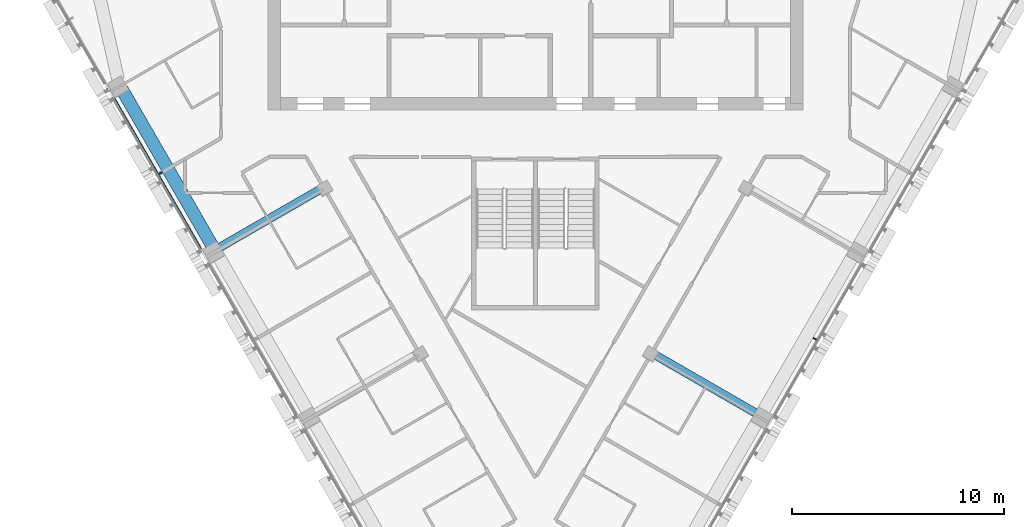
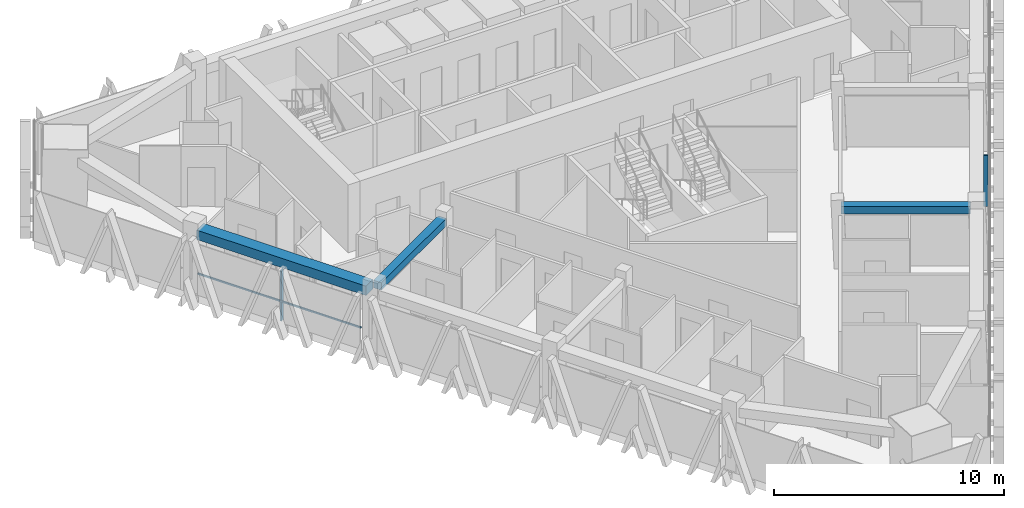
# One storey, part 3 of 15: 3 beams, 3 members, 2 elements without a shape of their own.
"""IFC4 building model written with IfcOpenShell, lengths in metres."""

from ifc_helpers import new_model, si_unit, direction, frame, origin, origin_2d, place, context, subcontext, project, spatial, rectangle, extrude, material, layer, layer_set, material_profile, profile_set, type_object, element, aggregate, save


model = new_model("IFC4")

# Units and contexts
model_context = context("Model", 3, precision=1e-05, world=origin(), true_north=direction((0.0, 1.0)))
body_context = subcontext(model_context, "Body", "Model", "MODEL_VIEW")
ifc_project = project(units=[si_unit("LENGTHUNIT", "METRE"), si_unit("AREAUNIT", "SQUARE_METRE"), si_unit("VOLUMEUNIT", "CUBIC_METRE"), si_unit("PLANEANGLEUNIT", "RADIAN"), si_unit("MASSUNIT", "GRAM", prefix="KILO")], contexts=[model_context])

# Site, building, storey
site_placement = place(None, origin())
site = spatial("IfcSite", under=ifc_project, at=site_placement, CompositionType="ELEMENT")
building_placement = place(site_placement, origin())
building = spatial("IfcBuilding", under=site, at=building_placement, Name="Altiplano Prism Tower", CompositionType="ELEMENT")
storey_placement = place(building_placement, frame((0.0, 0.0, 246.39990234375)))
storey = spatial("IfcBuildingStorey", under=building, at=storey_placement, Name="L63", CompositionType="ELEMENT", Elevation=246.39990234375)

# Curtain wall, member
ifc_material_1 = material(Name="Aluminium and glass", Category="aluminium")
ifc_layer = layer(ifc_material_1, 0.280029296875)
ifc_layer_set = layer_set([ifc_layer], Name="Aluminium and glass")
curtain_wall_type = type_object("IfcCurtainWallType", Name="CW1 typical co-living unitised curtain wall", PredefinedType="NOTDEFINED", material=ifc_layer_set)
curtain_wall_1_placement = place(storey_placement, origin())
curtain_wall_1 = element("IfcCurtainWall", 1, at=curtain_wall_1_placement, inside=storey, type_object=curtain_wall_type, Name="CW1 curtain wall south-west face L63", PredefinedType="NOTDEFINED")
ifc_material_2 = material(Name="Aluminium", Category="aluminium")
ifc_material_profile_1 = material_profile(ifc_material_2, rectangle(XDim=0.179931640625, YDim=0.06494140625, at=origin_2d()), Name="CW1 mullion 65 x 180")
ifc_profile_set_1 = profile_set([ifc_material_profile_1], Name="Aluminium")
member_type_1 = type_object("IfcMemberType", Name="CW1 mullion 65 x 180", PredefinedType="MULLION", material=ifc_profile_set_1)
member_1_placement = place(storey_placement, frame((67.35302734375, 89.832763671875, 0.0), z_axis=(0.0, 0.0, 1.0), x_axis=(0.866025400486, 0.500000005713, 0.0)))
member_1 = element("IfcMember", 2, at=member_1_placement, type_object=member_type_1, Name="CW1 mullion", PredefinedType="MULLION", context=body_context, shape_type="SweptSolid", body=[
    extrude(rectangle(XDim=0.179931640625, YDim=0.06494140625, at=origin_2d()), origin(), (0.0, 0.0, 1.0), 2.7001953125),
])

curtain_wall_2_placement = place(storey_placement, origin())
curtain_wall_2 = element("IfcCurtainWall", 3, at=curtain_wall_2_placement, inside=storey, type_object=curtain_wall_type, Name="CW1 curtain wall south-east face L63", PredefinedType="NOTDEFINED")
member_2_placement = place(storey_placement, frame((98.14697265625, 82.03857421875, 0.0), z_axis=(0.0, 0.0, 1.0), x_axis=(-0.866025400486, 0.500000005713, 0.0)))
member_2 = element("IfcMember", 4, at=member_2_placement, type_object=member_type_1, Name="CW1 mullion", PredefinedType="MULLION", context=body_context, shape_type="SweptSolid", body=[
    extrude(rectangle(XDim=0.179931640625, YDim=0.06494140625, at=origin_2d()), origin(), (0.0, 0.0, 1.0), 2.7001953125),
])
aggregate(curtain_wall_2, [member_2])

# Member
ifc_material_profile_2 = material_profile(ifc_material_2, rectangle(XDim=0.06005859375, YDim=0.080078125, at=origin_2d()), Name="CW1 transom 80 x 60")
ifc_profile_set_2 = profile_set([ifc_material_profile_2], Name="Aluminium")
member_type_2 = type_object("IfcMemberType", Name="CW1 transom 80 x 60", PredefinedType="USERDEFINED", material=ifc_profile_set_2)
member_3_placement = place(storey_placement, frame((65.186767578125, 93.3447265625, 1.10009765625), z_axis=(0.499995783154, -0.866027838368, 0.0), x_axis=(0.866027838368, 0.499995783154, 0.0)))
member_3 = element("IfcMember", 5, at=member_3_placement, type_object=member_type_2, Name="CW1 transom", ObjectType="TRANSOM", PredefinedType="USERDEFINED", context=body_context, shape_type="SweptSolid", body=[
    extrude(rectangle(XDim=0.06005859375, YDim=0.080078125, at=origin_2d()), origin(), (0.0, 0.0, 1.0), 8.169921875),
])

aggregate(curtain_wall_1, [member_1, member_3])

# Beams
ifc_material_3 = material(Name="Concrete C60/75", Category="concrete")
ifc_material_profile_3 = material_profile(ifc_material_3, rectangle(XDim=0.60009765625, YDim=0.5, at=origin_2d()), Name="Edge beam 600x500")
ifc_profile_set_3 = profile_set([ifc_material_profile_3], Name="Concrete C60/75")
beam_type_1 = type_object("IfcBeamType", Name="Edge beam 600x500", PredefinedType="SPANDREL", material=ifc_profile_set_3)
beam_placement = place(storey_placement, frame((65.53564453125, 93.777587890625, 2.9501953125), z_axis=(0.49998963237, -0.866031389456, 0.0), x_axis=(0.866031389456, 0.49998963237, 0.0)))
element("IfcBeam", 6, at=beam_placement, inside=storey, type_object=beam_type_1, Name="Edge beam P11-P12 L64", PredefinedType="SPANDREL", context=body_context, shape_type="SweptSolid", body=[
    extrude(rectangle(XDim=0.60009765625, YDim=0.5, at=origin_2d()), origin(), (0.0, 0.0, 1.0), 8.489990234375),
])
ifc_material_profile_4 = material_profile(ifc_material_3, rectangle(XDim=0.39990234375, YDim=0.39990234375, at=origin_2d()), Name="Tie beam 400x400")
ifc_profile_set_4 = profile_set([ifc_material_profile_4], Name="Concrete C60/75")
beam_type_2 = type_object("IfcBeamType", Name="Tie beam 400x400", PredefinedType="BEAM", material=ifc_profile_set_4)
for number, where, z_axis, x_axis, name in (
    (7, (75.013427734375, 89.15185546875, 3.0), (-0.866026281646, -0.499998479497, 0.0), (0.499998479497, -0.866026281646, 0.0), "Tie beam I12 L64"),
    (8, (90.486572265625, 81.357666015625, 3.0), (0.866026281646, -0.499998479497, 0.0), (0.499998479497, 0.866026281646, 0.0), "Tie beam I22 L64"),
):
    element("IfcBeam", number, at=place(storey_placement, frame(where, z_axis=z_axis, x_axis=x_axis)), inside=storey, type_object=beam_type_2, Name=name, PredefinedType="BEAM", context=body_context, shape_type="SweptSolid", body=[
        extrude(rectangle(XDim=0.39990234375, YDim=0.39990234375, at=origin_2d()), origin(), (0.0, 0.0, 1.0), 5.64013671875),
    ])

save(model, "model.ifc")
